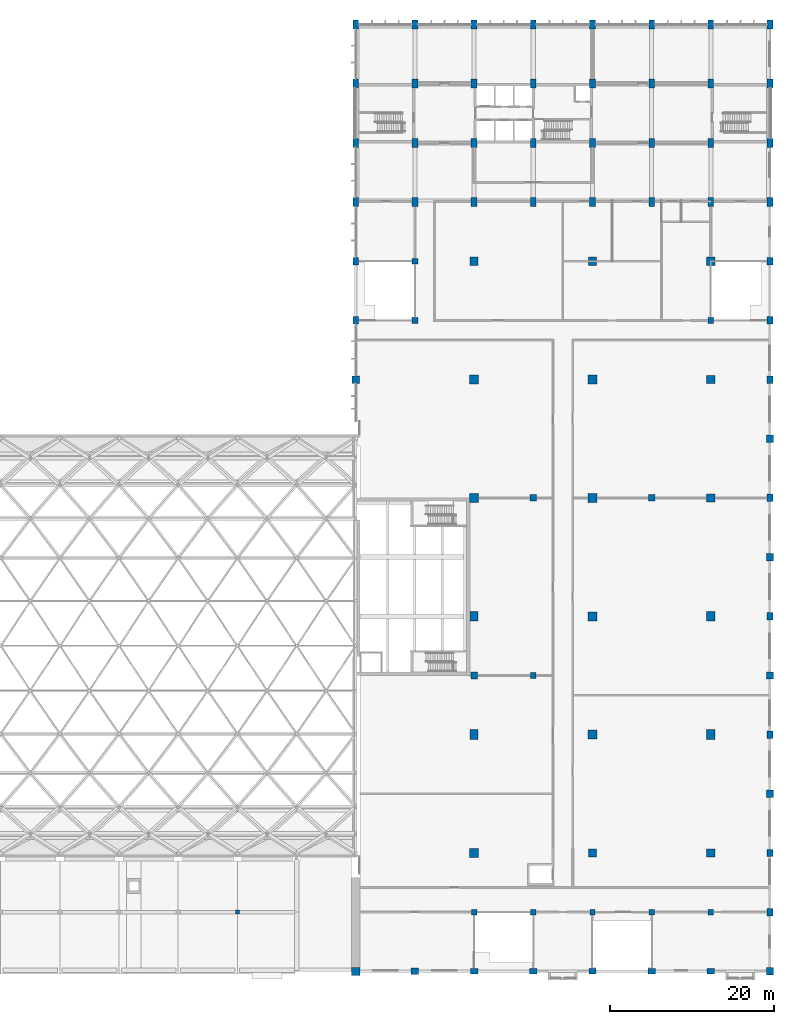
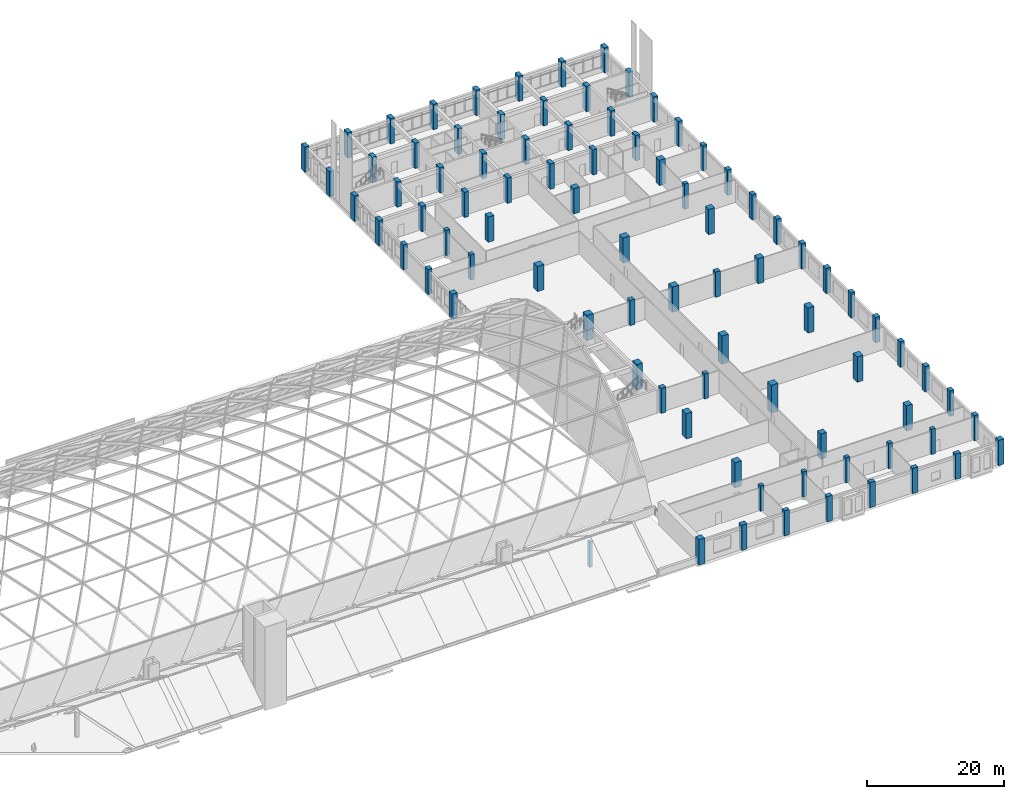
# One storey, part 2 of 52: 86 columns.
"""IFC4 building model written with IfcOpenShell, lengths in metres."""

import ifcopenshell
import ifcopenshell.guid

model = None  # the IFC model being written
_history = None  # IfcOwnerHistory: only IFC2X3 demands one
_inside = {}  # id of a spatial element -> (the spatial element, [elements in it])
_under = {}  # id of a project, library or spatial element -> (it, [spatial elements below it])
_declared = {}  # id of a project -> (the project, [libraries it declares])
_typed = {}  # id of a type object -> (the type object, [elements of that type])
_made_of = {}  # id of a material, layer set ... -> (it, [elements and type objects made of it])


def new_model(schema):
    """Start an empty IFC model of exactly this schema.

    Asked for "IFC4X3", IfcOpenShell would pick the latest addendum, in which some entities
    have other attributes; the version numbers below select the first issue.
    IFC2X3 requires an IfcOwnerHistory on every rooted entity: one is made here for all.
    """
    global model, _history
    if schema == "IFC4X3":
        model = ifcopenshell.file(schema_version=(4, 3, 0, 0))
    else:
        model = ifcopenshell.file(schema=schema)
    _inside.clear()
    _under.clear()
    _declared.clear()
    _typed.clear()
    _made_of.clear()
    _history = None
    if model.schema == "IFC2X3":
        org = make("IfcOrganization", Name="unknown")
        user = make(
            "IfcPersonAndOrganization",
            ThePerson=make("IfcPerson", FamilyName="unknown"),
            TheOrganization=org,
        )
        app = make(
            "IfcApplication",
            ApplicationDeveloper=org,
            Version="unknown",
            ApplicationFullName="unknown",
            ApplicationIdentifier="unknown",
        )
        _history = make(
            "IfcOwnerHistory",
            OwningUser=user,
            OwningApplication=app,
            ChangeAction="ADDED",
            CreationDate=0,
        )
    return model


def make(cls, **values):
    """One entity of the class cls with the attributes given. An attribute that is None is left unset."""
    return model.create_entity(
        cls, **{name: value for name, value in values.items() if value is not None}
    )


def rooted(cls, **values):
    """An entity with a GlobalId (a new one), such as an element, a storey or a relation."""
    return make(cls, GlobalId=ifcopenshell.guid.new(), OwnerHistory=_history, **values)


def si_unit(unit_type, name, prefix=None):
    """IfcSIUnit, for example si_unit("LENGTHUNIT", "METRE", prefix="MILLI")."""
    return make("IfcSIUnit", UnitType=unit_type, Prefix=prefix, Name=name)


def assignment(units):
    """IfcUnitAssignment: the units of a project."""
    return None if units is None else make("IfcUnitAssignment", Units=units)


def point(xyz):
    """IfcCartesianPoint."""
    return None if xyz is None else make("IfcCartesianPoint", Coordinates=xyz)


def direction(xyz):
    """IfcDirection."""
    return None if xyz is None else make("IfcDirection", DirectionRatios=xyz)


def frame(location, z_axis=None, x_axis=None):
    """IfcAxis2Placement3D, a coordinate frame: its origin and axes. An axis left out is left unset."""
    return make(
        "IfcAxis2Placement3D",
        Location=point(location),
        Axis=direction(z_axis),
        RefDirection=direction(x_axis),
    )


def frame_2d(location, x_axis=None):
    """IfcAxis2Placement2D, a coordinate frame in the plane: its origin and x axis."""
    return make(
        "IfcAxis2Placement2D", Location=point(location), RefDirection=direction(x_axis)
    )


def origin():
    """The frame at (0, 0, 0) with its axes left unset."""
    return frame((0.0, 0.0, 0.0))


def origin_2d():
    """The frame at (0, 0) in the plane with its x axis left unset."""
    return frame_2d((0.0, 0.0))


def place(relative_to, where):
    """IfcLocalPlacement: puts the frame where relative to a parent placement (None: the world)."""
    return make(
        "IfcLocalPlacement", PlacementRelTo=relative_to, RelativePlacement=where
    )


def context(
    kind, dimensions, precision=None, world=None, true_north=None, identifier=None
):
    """IfcGeometricRepresentationContext, for example the 3D "Model" context."""
    return make(
        "IfcGeometricRepresentationContext",
        ContextIdentifier=identifier,
        ContextType=kind,
        CoordinateSpaceDimension=dimensions,
        Precision=precision,
        WorldCoordinateSystem=world,
        TrueNorth=true_north,
    )


def subcontext(parent, identifier, kind, view, scale=None):
    """IfcGeometricRepresentationSubContext, for example "Body" below "Model"."""
    return make(
        "IfcGeometricRepresentationSubContext",
        ContextIdentifier=identifier,
        ContextType=kind,
        ParentContext=parent,
        TargetScale=scale,
        TargetView=view,
    )


def project(units=None, contexts=None):
    """IfcProject with its units and contexts."""
    return rooted(
        "IfcProject",
        Name="project",
        RepresentationContexts=contexts,
        UnitsInContext=assignment(units),
    )


def spatial(cls, under=None, at=None, **own):
    """A site, building, storey or space (cls), placed at a placement, below another one or the project."""
    s = rooted(cls, ObjectPlacement=at, **own)
    if under is not None:
        _under.setdefault(under.id(), (under, []))[1].append(s)
    return s


def profile(cls, at=None, kind="AREA", **sizes):
    """A parametric profile (cls). Its sizes go by their IFC names, for example OverallWidth=200.0."""
    return make(cls, ProfileType=kind, Position=at, **sizes)


def rectangle(**sizes):
    """IfcRectangleProfileDef."""
    return profile("IfcRectangleProfileDef", **sizes)


def extrude(swept, where, along, depth):
    """IfcExtrudedAreaSolid: the profile swept, set in the frame where, extruded along a direction by depth."""
    return make(
        "IfcExtrudedAreaSolid",
        SweptArea=swept,
        Position=where,
        ExtrudedDirection=direction(along),
        Depth=depth,
    )


def shape(context_of_items, identifier, shape_type, items):
    """IfcShapeRepresentation: the items that make up one representation, for example the "Body"."""
    return make(
        "IfcShapeRepresentation",
        ContextOfItems=context_of_items,
        RepresentationIdentifier=identifier,
        RepresentationType=shape_type,
        Items=items,
    )


def material(Name=None, Category=None):
    """IfcMaterial."""
    return make("IfcMaterial", Name=Name, Category=Category)


def material_profile(
    of_material, cross_section, Name=None, Category=None, Priority=None
):
    """IfcMaterialProfile: a cross section and its material."""
    return make(
        "IfcMaterialProfile",
        Name=Name,
        Material=of_material,
        Profile=cross_section,
        Priority=Priority,
        Category=Category,
    )


def profile_set(profiles, Name=None, composite=None):
    """IfcMaterialProfileSet."""
    return make(
        "IfcMaterialProfileSet",
        Name=Name,
        MaterialProfiles=profiles,
        CompositeProfile=composite,
    )


def made_of(thing, what):
    """Note that an element or type object is made of a material, layer set ...; save() writes the relation."""
    if what is not None:
        _made_of.setdefault(what.id(), (what, []))[1].append(thing)
    return thing


def type_object(cls, material=None, **own):
    """A type object (cls), such as IfcWallType, which elements share."""
    return made_of(rooted(cls, **own), material)


def element(
    cls,
    number,
    at=None,
    inside=None,
    cuts=None,
    type_object=None,
    material=None,
    context=None,
    identifier="Body",
    shape_type=None,
    held_by="IfcProductDefinitionShape",
    body=None,
    shapes=None,
    **own,
):
    """One element of the class cls, such as IfcWall. Its Tag is "e" and its number.

    at: its placement. inside: the storey or other place that contains it. cuts: it is an
    opening in that element (IfcRelVoidsElement). A single representation is given by context,
    identifier, shape_type and body (its items); several are given by shapes. held_by: the class
    of the entity that holds the representations. save() writes the other relations.
    """
    e = rooted(cls, Tag="e%d" % number, ObjectPlacement=at, **own)
    if body is not None:
        shapes = [shape(context, identifier, shape_type, body)]
    if shapes is not None:
        e.Representation = make(held_by, Representations=shapes)
    if inside is not None:
        _inside.setdefault(inside.id(), (inside, []))[1].append(e)
    if cuts is not None:
        rooted(
            "IfcRelVoidsElement", RelatingBuildingElement=cuts, RelatedOpeningElement=e
        )
    if type_object is not None:
        _typed.setdefault(type_object.id(), (type_object, []))[1].append(e)
    return made_of(e, material)


def aggregate(whole, parts):
    """IfcRelAggregates: a whole, such as a stair, and the parts it consists of."""
    return rooted("IfcRelAggregates", RelatingObject=whole, RelatedObjects=parts)


def save(model, path):
    """Write the relations noted so far, then the file.

    IfcRelAggregates (storeys below a building ...), IfcRelContainedInSpatialStructure (elements
    in a storey), IfcRelDefinesByType, IfcRelAssociatesMaterial and IfcRelDeclares: one each for
    every whole, place, type object, material and project.
    """
    for whole, parts in _under.values():
        aggregate(whole, parts)
    for where, things in _inside.values():
        rooted(
            "IfcRelContainedInSpatialStructure",
            RelatedElements=things,
            RelatingStructure=where,
        )
    for kind, things in _typed.values():
        rooted("IfcRelDefinesByType", RelatedObjects=things, RelatingType=kind)
    for what, things in _made_of.values():
        rooted("IfcRelAssociatesMaterial", RelatedObjects=things, RelatingMaterial=what)
    for by, libraries in _declared.values():
        rooted("IfcRelDeclares", RelatingContext=by, RelatedDefinitions=libraries)
    model.write(path)


model = new_model("IFC4")

# Units and contexts
model_context = context("Model", 3, precision=1e-05, world=origin(), true_north=direction((0.0, 1.0)))
body_context = subcontext(model_context, "Body", "Model", "MODEL_VIEW")
ifc_project = project(units=[si_unit("LENGTHUNIT", "METRE"), si_unit("AREAUNIT", "SQUARE_METRE"), si_unit("VOLUMEUNIT", "CUBIC_METRE"), si_unit("PLANEANGLEUNIT", "RADIAN"), si_unit("MASSUNIT", "GRAM", prefix="KILO")], contexts=[model_context])

# Site, building, storey
site_placement = place(None, origin())
site = spatial("IfcSite", under=ifc_project, at=site_placement, CompositionType="ELEMENT")
building_placement = place(site_placement, origin())
building = spatial("IfcBuilding", under=site, at=building_placement, Name="Vermilion Court Aquatics Centre", CompositionType="ELEMENT")
storey_placement = place(building_placement, frame((0.0, 0.0, 12.0)))
storey = spatial("IfcBuildingStorey", under=building, at=storey_placement, Name="L02", CompositionType="ELEMENT", Elevation=12.0)

# Columns
ifc_material_1 = material(Name="Concrete 8000 psi", Category="concrete")
ifc_material_profile_1 = material_profile(ifc_material_1, rectangle(XDim=0.699951171875, YDim=1.10009765625, at=origin_2d()), Name="RC 700x1100")
ifc_profile_set_1 = profile_set([ifc_material_profile_1], Name="Concrete 8000 psi")
column_type_1 = type_object("IfcColumnType", Name="North block inner column 700x1100", PredefinedType="COLUMN", material=ifc_profile_set_1)
for number, where, z_axis, x_axis, name in (
    (1, (151.199951171875, 100.800048828125, 0.0), (0.0, 0.0, 1.0), (1.0, 0.0, 0.0), "Column 22Q L02"),
    (2, (151.199951171875, 108.0, 0.0), (0.0, 0.0, 1.0), (1.0, 0.0, 0.0), "Column 22R L02"),
    (3, (158.39990234375, 100.800048828125, 0.0), (0.0, 0.0, 1.0), (1.0, 0.0, 0.0), "Column 23Q L02"),
    (4, (158.39990234375, 108.0, 0.0), (0.0, 0.0, 1.0), (1.0, 0.0, 0.0), "Column 23R L02"),
    (5, (165.60009765625, 100.800048828125, 0.0), (0.0, 0.0, 1.0), (1.0, 0.0, 0.0), "Column 24Q L02"),
    (6, (165.60009765625, 108.0, 0.0), (0.0, 0.0, 1.0), (1.0, 0.0, 0.0), "Column 24R L02"),
    (7, (172.800048828125, 100.800048828125, 0.0), (0.0, 0.0, 1.0), (1.0, 0.0, 0.0), "Column 25Q L02"),
    (8, (172.800048828125, 108.0, 0.0), (0.0, 0.0, 1.0), (1.0, 0.0, 0.0), "Column 25R L02"),
    (9, (180.0, 100.800048828125, 0.0), (0.0, 0.0, 1.0), (1.0, 0.0, 0.0), "Column 26Q L02"),
    (10, (180.0, 108.0, 0.0), (0.0, 0.0, 1.0), (1.0, 0.0, 0.0), "Column 26R L02"),
    (11, (187.199951171875, 100.800048828125, 0.0), (0.0, 0.0, 1.0), (1.0, 0.0, 0.0), "Column 27Q L02"),
    (12, (187.199951171875, 108.0, 0.0), (0.0, 0.0, 1.0), (1.0, 0.0, 0.0), "Column 27R L02"),
):
    element("IfcColumn", number, at=place(storey_placement, frame(where, z_axis=z_axis, x_axis=x_axis)), inside=storey, type_object=column_type_1, Name=name, PredefinedType="COLUMN", context=body_context, shape_type="SweptSolid", body=[
        extrude(rectangle(XDim=0.699951171875, YDim=1.10009765625, at=origin_2d()), origin(), (0.0, 0.0, 1.0), 4.5),
    ])
ifc_material_2 = material(Name="Concrete 8000 psi", Category="concrete")
ifc_material_profile_2 = material_profile(ifc_material_2, rectangle(XDim=0.699951171875, YDim=1.10009765625, at=origin_2d()), Name="RC 700x1100")
ifc_profile_set_2 = profile_set([ifc_material_profile_2], Name="Concrete 8000 psi")
column_type_2 = type_object("IfcColumnType", Name="North block perimeter column 700x1100", PredefinedType="COLUMN", material=ifc_profile_set_2)
for number, where, z_axis, x_axis, name in (
    (13, (144.0, 93.60009765625, 0.0), (0.0, 0.0, 1.0), (1.0, 0.0, 0.0), "Column 21P L02"),
    (14, (144.0, 100.800048828125, 0.0), (0.0, 0.0, 1.0), (1.0, 0.0, 0.0), "Column 21Q L02"),
    (15, (144.0, 108.0, 0.0), (0.0, 0.0, 1.0), (1.0, 0.0, 0.0), "Column 21R L02"),
    (16, (144.0, 115.199951171875, 0.0), (0.0, 0.0, 1.0), (1.0, 0.0, 0.0), "Column 21S L02"),
    (17, (151.199951171875, 93.60009765625, 0.0), (0.0, 0.0, 1.0), (1.0, 0.0, 0.0), "Column 22P L02"),
    (18, (151.199951171875, 115.199951171875, 0.0), (0.0, 0.0, 1.0), (1.0, 0.0, 0.0), "Column 22S L02"),
    (19, (158.39990234375, 93.60009765625, 0.0), (0.0, 0.0, 1.0), (1.0, 0.0, 0.0), "Column 23P L02"),
    (20, (158.39990234375, 115.199951171875, 0.0), (0.0, 0.0, 1.0), (1.0, 0.0, 0.0), "Column 23S L02"),
    (21, (165.60009765625, 93.60009765625, 0.0), (0.0, 0.0, 1.0), (1.0, 0.0, 0.0), "Column 24P L02"),
    (22, (165.60009765625, 115.199951171875, 0.0), (0.0, 0.0, 1.0), (1.0, 0.0, 0.0), "Column 24S L02"),
    (23, (172.800048828125, 93.60009765625, 0.0), (0.0, 0.0, 1.0), (1.0, 0.0, 0.0), "Column 25P L02"),
    (24, (172.800048828125, 115.199951171875, 0.0), (0.0, 0.0, 1.0), (1.0, 0.0, 0.0), "Column 25S L02"),
    (25, (180.0, 93.60009765625, 0.0), (0.0, 0.0, 1.0), (1.0, 0.0, 0.0), "Column 26P L02"),
    (26, (180.0, 115.199951171875, 0.0), (0.0, 0.0, 1.0), (1.0, 0.0, 0.0), "Column 26S L02"),
    (27, (187.199951171875, 93.60009765625, 0.0), (0.0, 0.0, 1.0), (1.0, 0.0, 0.0), "Column 27P L02"),
    (28, (187.199951171875, 115.199951171875, 0.0), (0.0, 0.0, 1.0), (1.0, 0.0, 0.0), "Column 27S L02"),
    (29, (194.39990234375, 93.60009765625, 0.0), (0.0, 0.0, 1.0), (1.0, 0.0, 0.0), "Column 28P L02"),
    (30, (194.39990234375, 100.800048828125, 0.0), (0.0, 0.0, 1.0), (1.0, 0.0, 0.0), "Column 28Q L02"),
    (31, (194.39990234375, 108.0, 0.0), (0.0, 0.0, 1.0), (1.0, 0.0, 0.0), "Column 28R L02"),
    (32, (194.39990234375, 115.199951171875, 0.0), (0.0, 0.0, 1.0), (1.0, 0.0, 0.0), "Column 28S L02"),
):
    element("IfcColumn", number, at=place(storey_placement, frame(where, z_axis=z_axis, x_axis=x_axis)), inside=storey, type_object=column_type_2, Name=name, PredefinedType="COLUMN", context=body_context, shape_type="SweptSolid", body=[
        extrude(rectangle(XDim=0.699951171875, YDim=1.10009765625, at=origin_2d()), origin(), (0.0, 0.0, 1.0), 4.5),
    ])
ifc_material_3 = material(Name="Concrete 5000 psi", Category="concrete")
ifc_material_profile_3 = material_profile(ifc_material_3, rectangle(XDim=0.64990234375, YDim=0.64990234375, at=origin_2d()), Name="RC 650x650")
ifc_profile_set_3 = profile_set([ifc_material_profile_3], Name="Concrete 5000 psi")
column_type_3 = type_object("IfcColumnType", Name="Podium bay column RC 650x650", PredefinedType="COLUMN", material=ifc_profile_set_3)
for number, where, z_axis, x_axis, name in (
    (33, (158.39990234375, 7.199951171875, 0.0), (0.0, 0.0, 1.0), (1.0, 0.0, 0.0), "Column 23/B"),
    (34, (165.60009765625, 7.199951171875, 0.0), (0.0, 0.0, 1.0), (1.0, 0.0, 0.0), "Column 24/B"),
    (35, (172.800048828125, 7.199951171875, 0.0), (0.0, 0.0, 1.0), (1.0, 0.0, 0.0), "Column 25/B"),
    (36, (180.0, 7.199951171875, 0.0), (0.0, 0.0, 1.0), (1.0, 0.0, 0.0), "Column 26/B"),
    (37, (187.199951171875, 7.199951171875, 0.0), (0.0, 0.0, 1.0), (1.0, 0.0, 0.0), "Column 27/B"),
):
    element("IfcColumn", number, at=place(storey_placement, frame(where, z_axis=z_axis, x_axis=x_axis)), inside=storey, type_object=column_type_3, Name=name, PredefinedType="COLUMN", context=body_context, shape_type="SweptSolid", body=[
        extrude(rectangle(XDim=0.64990234375, YDim=0.64990234375, at=origin_2d()), origin(), (0.0, 0.0, 1.0), 4.5),
    ])
ifc_material_4 = material(Name="Concrete 5000 psi", Category="concrete")
ifc_material_profile_4 = material_profile(ifc_material_4, rectangle(XDim=1.0, YDim=1.0, at=origin_2d()), Name="RC 1000x1000")
ifc_profile_set_4 = profile_set([ifc_material_profile_4], Name="Concrete 5000 psi")
column_type_4 = type_object("IfcColumnType", Name="Podium corner column RC 1000x1000", PredefinedType="COLUMN", material=ifc_profile_set_4)
column_1_placement = place(storey_placement, frame((144.0, 0.0, 0.0), z_axis=(0.0, 0.0, 1.0), x_axis=(1.0, 0.0, 0.0)))
element("IfcColumn", 38, at=column_1_placement, inside=storey, type_object=column_type_4, Name="Column 21/A", PredefinedType="COLUMN", context=body_context, shape_type="SweptSolid", body=[
    extrude(rectangle(XDim=1.0, YDim=1.0, at=origin_2d()), origin(), (0.0, 0.0, 1.0), 4.5),
])
ifc_material_5 = material(Name="Concrete 5000 psi", Category="concrete")
ifc_material_profile_5 = material_profile(ifc_material_5, rectangle(XDim=0.89990234375, YDim=0.89990234375, at=origin_2d()), Name="RC 900x900")
ifc_profile_set_5 = profile_set([ifc_material_profile_5], Name="Concrete 5000 psi")
column_type_5 = type_object("IfcColumnType", Name="Podium corner column RC 900x900", PredefinedType="COLUMN", material=ifc_profile_set_5)
column_2_placement = place(storey_placement, frame((194.39990234375, 0.0, 0.0), z_axis=(0.0, 0.0, 1.0), x_axis=(1.0, 0.0, 0.0)))
element("IfcColumn", 39, at=column_2_placement, inside=storey, type_object=column_type_5, Name="Column 28/A", PredefinedType="COLUMN", context=body_context, shape_type="SweptSolid", body=[
    extrude(rectangle(XDim=0.89990234375, YDim=0.89990234375, at=origin_2d()), origin(), (0.0, 0.0, 1.0), 4.5),
])
ifc_material_6 = material(Name="Concrete 5000 psi", Category="concrete")
ifc_material_profile_6 = material_profile(ifc_material_6, rectangle(XDim=0.699951171875, YDim=0.89990234375, at=origin_2d()), Name="RC 700x900")
ifc_profile_set_6 = profile_set([ifc_material_profile_6], Name="Concrete 5000 psi")
column_type_6 = type_object("IfcColumnType", Name="Podium facade column RC 700x900", PredefinedType="COLUMN", material=ifc_profile_set_6)
for number, where, z_axis, x_axis, name in (
    (40, (144.0, 79.199951171875, 0.0), (0.0, 0.0, 1.0), (1.0, 0.0, 0.0), "Column 21/M"),
    (41, (144.0, 86.39990234375, 0.0), (0.0, 0.0, 1.0), (1.0, 0.0, 0.0), "Column 21/N"),
    (42, (194.39990234375, 7.199951171875, 0.0), (0.0, 0.0, 1.0), (1.0, 0.0, 0.0), "Column 28/B"),
    (43, (194.39990234375, 14.39990234375, 0.0), (0.0, 0.0, 1.0), (1.0, 0.0, 0.0), "Column 28/C"),
    (44, (194.39990234375, 28.800048828125, 0.0), (0.0, 0.0, 1.0), (1.0, 0.0, 0.0), "Column 28/E"),
    (45, (194.39990234375, 43.199951171875, 0.0), (0.0, 0.0, 1.0), (1.0, 0.0, 0.0), "Column 28/G"),
    (46, (194.39990234375, 57.60009765625, 0.0), (0.0, 0.0, 1.0), (1.0, 0.0, 0.0), "Column 28/J"),
    (47, (194.39990234375, 72.0, 0.0), (0.0, 0.0, 1.0), (1.0, 0.0, 0.0), "Column 28/L"),
    (48, (194.39990234375, 79.199951171875, 0.0), (0.0, 0.0, 1.0), (1.0, 0.0, 0.0), "Column 28/M"),
    (49, (194.39990234375, 86.39990234375, 0.0), (0.0, 0.0, 1.0), (1.0, 0.0, 0.0), "Column 28/N"),
):
    element("IfcColumn", number, at=place(storey_placement, frame(where, z_axis=z_axis, x_axis=x_axis)), inside=storey, type_object=column_type_6, Name=name, PredefinedType="COLUMN", context=body_context, shape_type="SweptSolid", body=[
        extrude(rectangle(XDim=0.699951171875, YDim=0.89990234375, at=origin_2d()), origin(), (0.0, 0.0, 1.0), 4.5),
    ])
ifc_material_7 = material(Name="Concrete 5000 psi", Category="concrete")
ifc_material_profile_7 = material_profile(ifc_material_7, rectangle(XDim=0.800048828125, YDim=0.89990234375, at=origin_2d()), Name="RC 800x900")
ifc_profile_set_7 = profile_set([ifc_material_profile_7], Name="Concrete 5000 psi")
column_type_7 = type_object("IfcColumnType", Name="Podium facade column RC 800x900", PredefinedType="COLUMN", material=ifc_profile_set_7)
for number, where, z_axis, x_axis, name in (
    (50, (194.39990234375, 21.60009765625, 0.0), (0.0, 0.0, 1.0), (1.0, 0.0, 0.0), "Column 28/D"),
    (51, (194.39990234375, 36.0, 0.0), (0.0, 0.0, 1.0), (1.0, 0.0, 0.0), "Column 28/F"),
    (52, (194.39990234375, 50.39990234375, 0.0), (0.0, 0.0, 1.0), (1.0, 0.0, 0.0), "Column 28/H"),
    (53, (194.39990234375, 64.800048828125, 0.0), (0.0, 0.0, 1.0), (1.0, 0.0, 0.0), "Column 28/K"),
):
    element("IfcColumn", number, at=place(storey_placement, frame(where, z_axis=z_axis, x_axis=x_axis)), inside=storey, type_object=column_type_7, Name=name, PredefinedType="COLUMN", context=body_context, shape_type="SweptSolid", body=[
        extrude(rectangle(XDim=0.800048828125, YDim=0.89990234375, at=origin_2d()), origin(), (0.0, 0.0, 1.0), 4.5),
    ])
ifc_material_8 = material(Name="Concrete 5000 psi", Category="concrete")
ifc_material_profile_8 = material_profile(ifc_material_8, rectangle(XDim=0.89990234375, YDim=0.699951171875, at=origin_2d()), Name="RC 900x700")
ifc_profile_set_8 = profile_set([ifc_material_profile_8], Name="Concrete 5000 psi")
column_type_8 = type_object("IfcColumnType", Name="Podium facade column RC 900x700", PredefinedType="COLUMN", material=ifc_profile_set_8)
for number, where, z_axis, x_axis, name in (
    (54, (158.39990234375, 0.0, 0.0), (0.0, 0.0, 1.0), (1.0, 0.0, 0.0), "Column 23/A"),
    (55, (165.60009765625, 0.0, 0.0), (0.0, 0.0, 1.0), (1.0, 0.0, 0.0), "Column 24/A"),
    (56, (172.800048828125, 0.0, 0.0), (0.0, 0.0, 1.0), (1.0, 0.0, 0.0), "Column 25/A"),
    (57, (180.0, 0.0, 0.0), (0.0, 0.0, 1.0), (1.0, 0.0, 0.0), "Column 26/A"),
    (58, (187.199951171875, 0.0, 0.0), (0.0, 0.0, 1.0), (1.0, 0.0, 0.0), "Column 27/A"),
):
    element("IfcColumn", number, at=place(storey_placement, frame(where, z_axis=z_axis, x_axis=x_axis)), inside=storey, type_object=column_type_8, Name=name, PredefinedType="COLUMN", context=body_context, shape_type="SweptSolid", body=[
        extrude(rectangle(XDim=0.89990234375, YDim=0.699951171875, at=origin_2d()), origin(), (0.0, 0.0, 1.0), 4.5),
    ])
ifc_material_9 = material(Name="Concrete 5000 psi", Category="concrete")
ifc_material_profile_9 = material_profile(ifc_material_9, rectangle(XDim=0.89990234375, YDim=0.800048828125, at=origin_2d()), Name="RC 900x800")
ifc_profile_set_9 = profile_set([ifc_material_profile_9], Name="Concrete 5000 psi")
column_type_9 = type_object("IfcColumnType", Name="Podium facade column RC 900x800", PredefinedType="COLUMN", material=ifc_profile_set_9)
column_3_placement = place(storey_placement, frame((151.199951171875, 0.0, 0.0), z_axis=(0.0, 0.0, 1.0), x_axis=(1.0, 0.0, 0.0)))
element("IfcColumn", 59, at=column_3_placement, inside=storey, type_object=column_type_9, Name="Column 22/A", PredefinedType="COLUMN", context=body_context, shape_type="SweptSolid", body=[
    extrude(rectangle(XDim=0.89990234375, YDim=0.800048828125, at=origin_2d()), origin(), (0.0, 0.0, 1.0), 4.5),
])
ifc_material_10 = material(Name="Concrete 5000 psi", Category="concrete")
ifc_material_profile_10 = material_profile(ifc_material_10, rectangle(XDim=0.89990234375, YDim=0.89990234375, at=origin_2d()), Name="RC 900x900")
ifc_profile_set_10 = profile_set([ifc_material_profile_10], Name="Concrete 5000 psi")
column_type_10 = type_object("IfcColumnType", Name="Podium facade column RC 900x900", PredefinedType="COLUMN", material=ifc_profile_set_10)
column_4_placement = place(storey_placement, frame((144.0, 72.0, 0.0), z_axis=(0.0, 0.0, 1.0), x_axis=(1.0, 0.0, 0.0)))
element("IfcColumn", 60, at=column_4_placement, inside=storey, type_object=column_type_10, Name="Column 21/L", PredefinedType="COLUMN", context=body_context, shape_type="SweptSolid", body=[
    extrude(rectangle(XDim=0.89990234375, YDim=0.89990234375, at=origin_2d()), origin(), (0.0, 0.0, 1.0), 4.5),
])
ifc_material_11 = material(Name="Concrete 5000 psi", Category="concrete")
ifc_material_profile_11 = material_profile(ifc_material_11, rectangle(XDim=0.800048828125, YDim=0.800048828125, at=origin_2d()), Name="RC 800x800")
ifc_profile_set_11 = profile_set([ifc_material_profile_11], Name="Concrete 5000 psi")
column_type_11 = type_object("IfcColumnType", Name="Podium fitness hall column RC 800x800", PredefinedType="COLUMN", material=ifc_profile_set_11)
for number, where, z_axis, x_axis, name in (
    (61, (158.39990234375, 36.0, 0.0), (0.0, 0.0, 1.0), (1.0, 0.0, 0.0), "Column 23/F"),
    (62, (165.60009765625, 57.60009765625, 0.0), (0.0, 0.0, 1.0), (1.0, 0.0, 0.0), "Column 24/J"),
    (63, (180.0, 57.60009765625, 0.0), (0.0, 0.0, 1.0), (1.0, 0.0, 0.0), "Column 26/J"),
):
    element("IfcColumn", number, at=place(storey_placement, frame(where, z_axis=z_axis, x_axis=x_axis)), inside=storey, type_object=column_type_11, Name=name, PredefinedType="COLUMN", context=body_context, shape_type="SweptSolid", body=[
        extrude(rectangle(XDim=0.800048828125, YDim=0.800048828125, at=origin_2d()), origin(), (0.0, 0.0, 1.0), 4.5),
    ])
ifc_material_12 = material(Name="Concrete 5000 psi", Category="concrete")
ifc_material_profile_12 = material_profile(ifc_material_12, rectangle(XDim=0.699951171875, YDim=0.699951171875, at=origin_2d()), Name="RC 700x700")
ifc_profile_set_12 = profile_set([ifc_material_profile_12], Name="Concrete 5000 psi")
column_type_12 = type_object("IfcColumnType", Name="Podium interior column RC 700x700", PredefinedType="COLUMN", material=ifc_profile_set_12)
for number, where, z_axis, x_axis, name in (
    (64, (151.199951171875, 79.199951171875, 0.0), (0.0, 0.0, 1.0), (1.0, 0.0, 0.0), "Column 22/M"),
    (65, (151.199951171875, 86.39990234375, 0.0), (0.0, 0.0, 1.0), (1.0, 0.0, 0.0), "Column 22/N"),
    (66, (165.60009765625, 36.0, 0.0), (0.0, 0.0, 1.0), (1.0, 0.0, 0.0), "Column 24/F"),
    (67, (187.199951171875, 79.199951171875, 0.0), (0.0, 0.0, 1.0), (1.0, 0.0, 0.0), "Column 27/M"),
):
    element("IfcColumn", number, at=place(storey_placement, frame(where, z_axis=z_axis, x_axis=x_axis)), inside=storey, type_object=column_type_12, Name=name, PredefinedType="COLUMN", context=body_context, shape_type="SweptSolid", body=[
        extrude(rectangle(XDim=0.699951171875, YDim=0.699951171875, at=origin_2d()), origin(), (0.0, 0.0, 1.0), 4.5),
    ])
ifc_material_13 = material(Name="Concrete 5000 psi", Category="concrete")
ifc_material_profile_13 = material_profile(ifc_material_13, rectangle(XDim=1.0, YDim=1.0, at=origin_2d()), Name="RC 1000x1000")
ifc_profile_set_13 = profile_set([ifc_material_profile_13], Name="Concrete 5000 psi")
column_type_13 = type_object("IfcColumnType", Name="Podium node column 1000", PredefinedType="COLUMN", material=ifc_profile_set_13)
for number, where, z_axis, x_axis, name in (
    (68, (158.39990234375, 86.39990234375, 0.0), (0.0, 0.0, 1.0), (1.0, 0.0, 0.0), "Column 23/N"),
    (69, (172.800048828125, 14.39990234375, 0.0), (0.0, 0.0, 1.0), (1.0, 0.0, 0.0), "Column 25/C"),
    (70, (172.800048828125, 86.39990234375, 0.0), (0.0, 0.0, 1.0), (1.0, 0.0, 0.0), "Column 25/N"),
    (71, (187.199951171875, 14.39990234375, 0.0), (0.0, 0.0, 1.0), (1.0, 0.0, 0.0), "Column 27/C"),
    (72, (187.199951171875, 57.60009765625, 0.0), (0.0, 0.0, 1.0), (1.0, 0.0, 0.0), "Column 27/J"),
    (73, (187.199951171875, 72.0, 0.0), (0.0, 0.0, 1.0), (1.0, 0.0, 0.0), "Column 27/L"),
    (74, (187.199951171875, 86.39990234375, 0.0), (0.0, 0.0, 1.0), (1.0, 0.0, 0.0), "Column 27/N"),
):
    element("IfcColumn", number, at=place(storey_placement, frame(where, z_axis=z_axis, x_axis=x_axis)), inside=storey, type_object=column_type_13, Name=name, PredefinedType="COLUMN", context=body_context, shape_type="SweptSolid", body=[
        extrude(rectangle(XDim=1.0, YDim=1.0, at=origin_2d()), origin(), (0.0, 0.0, 1.0), 4.5),
    ])
ifc_material_14 = material(Name="Concrete 5000 psi", Category="concrete")
ifc_material_profile_14 = material_profile(ifc_material_14, rectangle(XDim=1.0, YDim=1.199951171875, at=origin_2d()), Name="RC 1000x1200")
ifc_profile_set_14 = profile_set([ifc_material_profile_14], Name="Concrete 5000 psi")
column_type_14 = type_object("IfcColumnType", Name="Podium node column 1000x1200", PredefinedType="COLUMN", material=ifc_profile_set_14)
for number, where, z_axis, x_axis, name in (
    (75, (158.39990234375, 28.800048828125, 0.0), (0.0, 0.0, 1.0), (1.0, 0.0, 0.0), "Column 23/E"),
    (76, (158.39990234375, 43.199951171875, 0.0), (0.0, 0.0, 1.0), (1.0, 0.0, 0.0), "Column 23/G"),
    (77, (187.199951171875, 28.800048828125, 0.0), (0.0, 0.0, 1.0), (1.0, 0.0, 0.0), "Column 27/E"),
    (78, (187.199951171875, 43.199951171875, 0.0), (0.0, 0.0, 1.0), (1.0, 0.0, 0.0), "Column 27/G"),
):
    element("IfcColumn", number, at=place(storey_placement, frame(where, z_axis=z_axis, x_axis=x_axis)), inside=storey, type_object=column_type_14, Name=name, PredefinedType="COLUMN", context=body_context, shape_type="SweptSolid", body=[
        extrude(rectangle(XDim=1.0, YDim=1.199951171875, at=origin_2d()), origin(), (0.0, 0.0, 1.0), 4.5),
    ])
ifc_material_15 = material(Name="Concrete 5000 psi", Category="concrete")
ifc_material_profile_15 = material_profile(ifc_material_15, rectangle(XDim=1.10009765625, YDim=1.10009765625, at=origin_2d()), Name="RC 1100x1100")
ifc_profile_set_15 = profile_set([ifc_material_profile_15], Name="Concrete 5000 psi")
column_type_15 = type_object("IfcColumnType", Name="Podium node column 1100", PredefinedType="COLUMN", material=ifc_profile_set_15)
for number, where, z_axis, x_axis, name in (
    (79, (158.39990234375, 14.39990234375, 0.0), (0.0, 0.0, 1.0), (1.0, 0.0, 0.0), "Column 23/C"),
    (80, (158.39990234375, 57.60009765625, 0.0), (0.0, 0.0, 1.0), (1.0, 0.0, 0.0), "Column 23/J"),
    (81, (158.39990234375, 72.0, 0.0), (0.0, 0.0, 1.0), (1.0, 0.0, 0.0), "Column 23/L"),
):
    element("IfcColumn", number, at=place(storey_placement, frame(where, z_axis=z_axis, x_axis=x_axis)), inside=storey, type_object=column_type_15, Name=name, PredefinedType="COLUMN", context=body_context, shape_type="SweptSolid", body=[
        extrude(rectangle(XDim=1.10009765625, YDim=1.10009765625, at=origin_2d()), origin(), (0.0, 0.0, 1.0), 4.5),
    ])
for number, where, z_axis, x_axis, name in (
    (82, (172.800048828125, 28.800048828125, -0.5), (0.0, 0.0, 1.0), (1.0, 0.0, 0.0), "Column 25/E"),
    (83, (172.800048828125, 43.199951171875, -0.5), (0.0, 0.0, 1.0), (1.0, 0.0, 0.0), "Column 25/G"),
):
    element("IfcColumn", number, at=place(storey_placement, frame(where, z_axis=z_axis, x_axis=x_axis)), inside=storey, type_object=column_type_15, Name=name, PredefinedType="COLUMN", context=body_context, shape_type="SweptSolid", body=[
        extrude(rectangle(XDim=1.10009765625, YDim=1.10009765625, at=origin_2d()), origin(), (0.0, 0.0, 1.0), 5.0),
    ])
for number, where, z_axis, x_axis, name in (
    (84, (172.800048828125, 57.60009765625, 0.0), (0.0, 0.0, 1.0), (1.0, 0.0, 0.0), "Column 25/J"),
    (85, (172.800048828125, 72.0, 0.0), (0.0, 0.0, 1.0), (1.0, 0.0, 0.0), "Column 25/L"),
):
    element("IfcColumn", number, at=place(storey_placement, frame(where, z_axis=z_axis, x_axis=x_axis)), inside=storey, type_object=column_type_15, Name=name, PredefinedType="COLUMN", context=body_context, shape_type="SweptSolid", body=[
        extrude(rectangle(XDim=1.10009765625, YDim=1.10009765625, at=origin_2d()), origin(), (0.0, 0.0, 1.0), 4.5),
    ])
ifc_material_16 = material(Name="Concrete 5000 psi", Category="concrete")
ifc_material_profile_16 = material_profile(ifc_material_16, rectangle(XDim=0.5, YDim=0.5, at=origin_2d()), Name="RC 500x500")
ifc_profile_set_16 = profile_set([ifc_material_profile_16], Name="Concrete 5000 psi")
column_type_16 = type_object("IfcColumnType", Name="South column RC 500x500", PredefinedType="COLUMN", material=ifc_profile_set_16)
column_5_placement = place(storey_placement, frame((129.60009765625, 7.199951171875, 0.0), z_axis=(0.0, 0.0, 1.0), x_axis=(1.0, 0.0, 0.0)))
element("IfcColumn", 86, at=column_5_placement, inside=storey, type_object=column_type_16, Name="South attic column", PredefinedType="COLUMN", context=body_context, shape_type="SweptSolid", body=[
    extrude(rectangle(XDim=0.5, YDim=0.5, at=origin_2d()), origin(), (0.0, 0.0, 1.0), 4.5859375),
])

save(model, "model.ifc")
